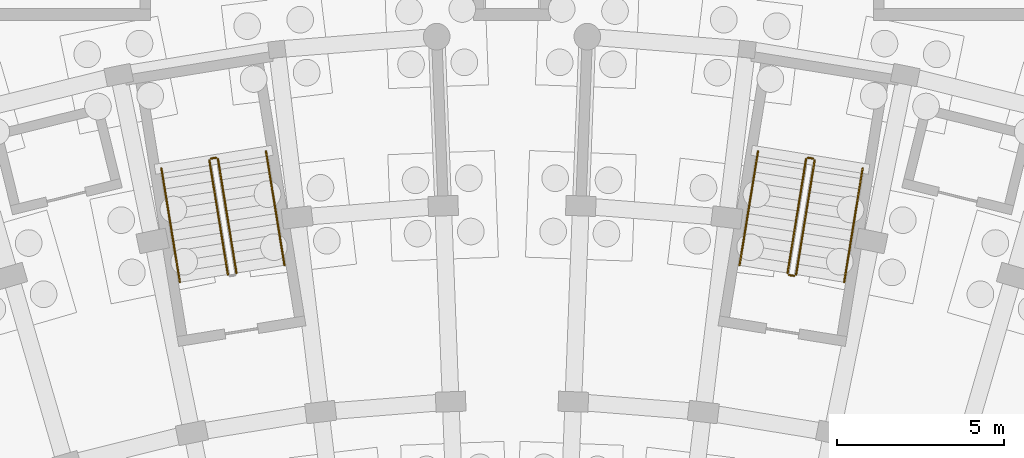
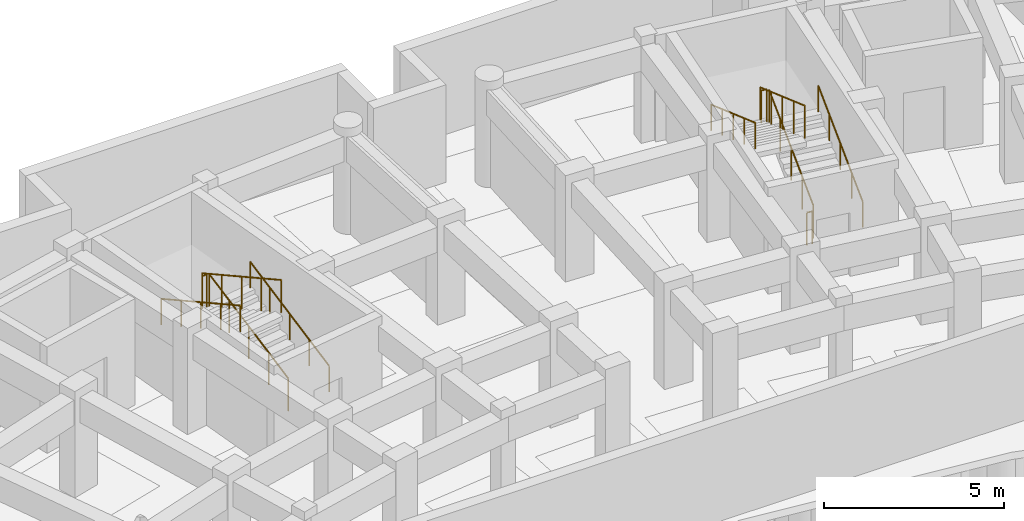
# One storey, part 29 of 32: 11 railings.
"""IFC4 building model written with IfcOpenShell, lengths in metres."""

from ifc_helpers import new_model, si_unit, direction, frame, origin, origin_2d, place, context, subcontext, project, spatial, circle, extrude, material, type_object, element, save


model = new_model("IFC4")

# Units and contexts
model_context = context("Model", 3, precision=1e-05, world=origin(), true_north=direction((0.0, 1.0)))
body_context = subcontext(model_context, "Body", "Model", "MODEL_VIEW")
ifc_project = project(units=[si_unit("LENGTHUNIT", "METRE"), si_unit("AREAUNIT", "SQUARE_METRE"), si_unit("VOLUMEUNIT", "CUBIC_METRE"), si_unit("PLANEANGLEUNIT", "RADIAN"), si_unit("MASSUNIT", "GRAM", prefix="KILO")], contexts=[model_context])

# Site, building, storey
site_placement = place(None, origin())
site = spatial("IfcSite", under=ifc_project, at=site_placement, CompositionType="ELEMENT")
building_placement = place(site_placement, origin())
building = spatial("IfcBuilding", under=site, at=building_placement, Name="Zimvara Arc Housing Community", CompositionType="ELEMENT")
storey_placement = place(building_placement, frame((0.0, 0.0, -3.60009765625)))
storey = spatial("IfcBuildingStorey", under=building, at=storey_placement, Name="B1", CompositionType="ELEMENT", Elevation=-3.60009765625)

# Railings
ifc_material_1 = material(Name="Anodised Aluminium AW-6063", Category="aluminium")
railing_type_1 = type_object("IfcRailingType", Name="RLG-BAL-1120", PredefinedType="BALUSTRADE", material=ifc_material_1)
railing_1_placement = place(storey_placement, frame((36.732421875, 96.243896484375, 0.150146484375)))
element("IfcRailing", 1, at=railing_1_placement, inside=storey, type_object=railing_type_1, Name="B1 ST-A2 stair guard 1", PredefinedType="BALUSTRADE", context=body_context, shape_type="SweptSolid", body=[
    extrude(circle(Radius=0.02392578125, at=origin_2d()), frame((0.0, 0.0, 1.09619140625), z_axis=(-0.144663712303, 0.891202262822, 0.429919686783), x_axis=(-0.987080189956, -0.160227022054, 0.0)), (0.0, 0.0, 1.0), 3.837646484375),
    extrude(circle(Radius=0.02099609375, at=origin_2d()), origin(), (0.0, 0.0, 1.0), 1.072021484375),
    extrude(circle(Radius=0.02099609375, at=origin_2d()), frame((-0.138671875, 0.85498046875, 0.41259765625)), (0.0, 0.0, 1.0), 1.072021484375),
    extrude(circle(Radius=0.02099609375, at=origin_2d()), frame((-0.277587890625, 1.7099609375, 0.824951171875)), (0.0, 0.0, 1.0), 1.072021484375),
    extrude(circle(Radius=0.02099609375, at=origin_2d()), frame((-0.41650390625, 2.565185546875, 1.2373046875)), (0.0, 0.0, 1.0), 1.072021484375),
    extrude(circle(Radius=0.02099609375, at=origin_2d()), frame((-0.55517578125, 3.420166015625, 1.64990234375)), (0.0, 0.0, 1.0), 1.072021484375),
])
railing_2_placement = place(storey_placement, frame((36.119873046875, 99.705322265625, 1.800048828125)))
element("IfcRailing", 2, at=railing_2_placement, inside=storey, type_object=railing_type_1, Name="B1 ST-A2 stair guard 2", PredefinedType="BALUSTRADE", context=body_context, shape_type="SweptSolid", body=[
    extrude(circle(Radius=0.02392578125, at=origin_2d()), frame((0.0, 0.0, 1.09619140625), z_axis=(-0.987085924886, -0.160191687964, 0.0), x_axis=(0.160191687964, -0.987085924886, 0.0)), (0.0, 0.0, 1.0), 0.159912109375),
    extrude(circle(Radius=0.02099609375, at=origin_2d()), origin(), (0.0, 0.0, 1.0), 1.072021484375),
    extrude(circle(Radius=0.02099609375, at=origin_2d()), frame((-0.157958984375, -0.025634765625, 0.0)), (0.0, 0.0, 1.0), 1.072021484375),
])
railing_3_placement = place(storey_placement, frame((35.920654296875, 99.622314453125, 1.9501953125)))
element("IfcRailing", 3, at=railing_3_placement, inside=storey, type_object=railing_type_1, Name="B1 ST-A2 stair guard 3", PredefinedType="BALUSTRADE", context=body_context, shape_type="SweptSolid", body=[
    extrude(circle(Radius=0.02392578125, at=origin_2d()), frame((0.0, 0.0, 1.09619140625), z_axis=(0.144663712303, -0.891202262822, 0.429919686783), x_axis=(0.987080189956, 0.160227022054, 0.0)), (0.0, 0.0, 1.0), 3.837646484375),
    extrude(circle(Radius=0.02099609375, at=origin_2d()), origin(), (0.0, 0.0, 1.0), 1.072021484375),
    extrude(circle(Radius=0.02099609375, at=origin_2d()), frame((0.138671875, -0.85498046875, 0.41259765625)), (0.0, 0.0, 1.0), 1.072021484375),
    extrude(circle(Radius=0.02099609375, at=origin_2d()), frame((0.277587890625, -1.7099609375, 0.824951171875)), (0.0, 0.0, 1.0), 1.072021484375),
    extrude(circle(Radius=0.02099609375, at=origin_2d()), frame((0.41650390625, -2.565185546875, 1.2373046875)), (0.0, 0.0, 1.0), 1.072021484375),
    extrude(circle(Radius=0.02099609375, at=origin_2d()), frame((0.55517578125, -3.420166015625, 1.64990234375)), (0.0, 0.0, 1.0), 1.072021484375),
])
railing_4_placement = place(storey_placement, frame((53.524169921875, 96.2021484375, 0.150146484375)))
element("IfcRailing", 4, at=railing_4_placement, inside=storey, type_object=railing_type_1, Name="B1 ST-B1 stair guard 1", PredefinedType="BALUSTRADE", context=body_context, shape_type="SweptSolid", body=[
    extrude(circle(Radius=0.02392578125, at=origin_2d()), frame((0.0, 0.0, 1.09619140625), z_axis=(0.144663712303, 0.891202262822, 0.429919686783), x_axis=(-0.987080189956, 0.160227022054, 0.0)), (0.0, 0.0, 1.0), 3.837646484375),
    extrude(circle(Radius=0.02099609375, at=origin_2d()), origin(), (0.0, 0.0, 1.0), 1.072021484375),
    extrude(circle(Radius=0.02099609375, at=origin_2d()), frame((0.138671875, 0.85498046875, 0.41259765625)), (0.0, 0.0, 1.0), 1.072021484375),
    extrude(circle(Radius=0.02099609375, at=origin_2d()), frame((0.277587890625, 1.7099609375, 0.824951171875)), (0.0, 0.0, 1.0), 1.072021484375),
    extrude(circle(Radius=0.02099609375, at=origin_2d()), frame((0.41650390625, 2.565185546875, 1.2373046875)), (0.0, 0.0, 1.0), 1.072021484375),
    extrude(circle(Radius=0.02099609375, at=origin_2d()), frame((0.55517578125, 3.420166015625, 1.64990234375)), (0.0, 0.0, 1.0), 1.072021484375),
])
railing_5_placement = place(storey_placement, frame((54.0380859375, 99.6796875, 1.800048828125)))
element("IfcRailing", 5, at=railing_5_placement, inside=storey, type_object=railing_type_1, Name="B1 ST-B1 stair guard 2", PredefinedType="BALUSTRADE", context=body_context, shape_type="SweptSolid", body=[
    extrude(circle(Radius=0.02392578125, at=origin_2d()), frame((0.0, 0.0, 1.09619140625), z_axis=(-0.987085924886, 0.160191687964, 0.0), x_axis=(-0.160191687964, -0.987085924886, 0.0)), (0.0, 0.0, 1.0), 0.159912109375),
    extrude(circle(Radius=0.02099609375, at=origin_2d()), origin(), (0.0, 0.0, 1.0), 1.072021484375),
    extrude(circle(Radius=0.02099609375, at=origin_2d()), frame((-0.157958984375, 0.025634765625, 0.0)), (0.0, 0.0, 1.0), 1.072021484375),
])
railing_6_placement = place(storey_placement, frame((53.82275390625, 99.6640625, 1.9501953125)))
element("IfcRailing", 6, at=railing_6_placement, inside=storey, type_object=railing_type_1, Name="B1 ST-B1 stair guard 3", PredefinedType="BALUSTRADE", context=body_context, shape_type="SweptSolid", body=[
    extrude(circle(Radius=0.02392578125, at=origin_2d()), frame((0.0, 0.0, 1.09619140625), z_axis=(-0.144663712303, -0.891202262822, 0.429919686783), x_axis=(0.987080189956, -0.160227022054, 0.0)), (0.0, 0.0, 1.0), 3.837646484375),
    extrude(circle(Radius=0.02099609375, at=origin_2d()), origin(), (0.0, 0.0, 1.0), 1.072021484375),
    extrude(circle(Radius=0.02099609375, at=origin_2d()), frame((-0.138671875, -0.85498046875, 0.41259765625)), (0.0, 0.0, 1.0), 1.072021484375),
    extrude(circle(Radius=0.02099609375, at=origin_2d()), frame((-0.277587890625, -1.7099609375, 0.824951171875)), (0.0, 0.0, 1.0), 1.072021484375),
    extrude(circle(Radius=0.02099609375, at=origin_2d()), frame((-0.41650390625, -2.565185546875, 1.2373046875)), (0.0, 0.0, 1.0), 1.072021484375),
    extrude(circle(Radius=0.02099609375, at=origin_2d()), frame((-0.55517578125, -3.420166015625, 1.64990234375)), (0.0, 0.0, 1.0), 1.072021484375),
])
railing_7_placement = place(storey_placement, frame((53.466796875, 96.160888671875, 0.0)))
element("IfcRailing", 7, at=railing_7_placement, inside=storey, type_object=railing_type_1, Name="B1 ST-B1 stair guard 4", PredefinedType="BALUSTRADE", context=body_context, shape_type="SweptSolid", body=[
    extrude(circle(Radius=0.02392578125, at=origin_2d()), frame((0.0, 0.0, 1.09619140625), z_axis=(-0.987085924886, 0.160191687964, 0.0), x_axis=(-0.160191687964, -0.987085924886, 0.0)), (0.0, 0.0, 1.0), 0.159912109375),
    extrude(circle(Radius=0.02099609375, at=origin_2d()), origin(), (0.0, 0.0, 1.0), 1.072021484375),
    extrude(circle(Radius=0.02099609375, at=origin_2d()), frame((-0.157958984375, 0.025634765625, 0.0)), (0.0, 0.0, 1.0), 1.072021484375),
])
ifc_material_2 = material(Name="Anodised Aluminium AW-6063", Category="aluminium")
railing_type_2 = type_object("IfcRailingType", Name="RLG-HND-900", PredefinedType="HANDRAIL", material=ifc_material_2)
railing_8_placement = place(storey_placement, frame((38.173583984375, 96.477783203125, 0.150146484375)))
element("IfcRailing", 8, at=railing_8_placement, inside=storey, type_object=railing_type_2, Name="B1 ST-A2 stair handrail 1", PredefinedType="HANDRAIL", context=body_context, shape_type="SweptSolid", body=[
    extrude(circle(Radius=0.02392578125, at=origin_2d()), frame((0.0, 0.0, 0.8759765625), z_axis=(-0.144663712303, 0.891202262822, 0.429919686783), x_axis=(-0.987080189956, -0.160227022054, 0.0)), (0.0, 0.0, 1.0), 3.837646484375),
    extrude(circle(Radius=0.02099609375, at=origin_2d()), origin(), (0.0, 0.0, 1.0), 0.851806640625),
    extrude(circle(Radius=0.02099609375, at=origin_2d()), frame((-0.138671875, 0.85498046875, 0.41259765625)), (0.0, 0.0, 1.0), 0.851806640625),
    extrude(circle(Radius=0.02099609375, at=origin_2d()), frame((-0.277587890625, 1.7099609375, 0.824951171875)), (0.0, 0.0, 1.0), 0.851806640625),
    extrude(circle(Radius=0.02099609375, at=origin_2d()), frame((-0.41650390625, 2.565185546875, 1.2373046875)), (0.0, 0.0, 1.0), 0.851806640625),
    extrude(circle(Radius=0.02099609375, at=origin_2d()), frame((-0.55517578125, 3.420166015625, 1.64990234375)), (0.0, 0.0, 1.0), 0.851806640625),
])
railing_9_placement = place(storey_placement, frame((34.4794921875, 99.388427734375, 1.9501953125)))
element("IfcRailing", 9, at=railing_9_placement, inside=storey, type_object=railing_type_2, Name="B1 ST-A2 stair handrail 2", PredefinedType="HANDRAIL", context=body_context, shape_type="SweptSolid", body=[
    extrude(circle(Radius=0.02392578125, at=origin_2d()), frame((0.0, 0.0, 0.8759765625), z_axis=(0.144663712303, -0.891202262822, 0.429919686783), x_axis=(0.987080189956, 0.160227022054, 0.0)), (0.0, 0.0, 1.0), 3.837646484375),
    extrude(circle(Radius=0.02099609375, at=origin_2d()), origin(), (0.0, 0.0, 1.0), 0.851806640625),
    extrude(circle(Radius=0.02099609375, at=origin_2d()), frame((0.138671875, -0.85498046875, 0.41259765625)), (0.0, 0.0, 1.0), 0.851806640625),
    extrude(circle(Radius=0.02099609375, at=origin_2d()), frame((0.277587890625, -1.7099609375, 0.824951171875)), (0.0, 0.0, 1.0), 0.851806640625),
    extrude(circle(Radius=0.02099609375, at=origin_2d()), frame((0.41650390625, -2.565185546875, 1.2373046875)), (0.0, 0.0, 1.0), 0.851806640625),
    extrude(circle(Radius=0.02099609375, at=origin_2d()), frame((0.55517578125, -3.420166015625, 1.64990234375)), (0.0, 0.0, 1.0), 0.851806640625),
])
railing_10_placement = place(storey_placement, frame((54.96533203125, 95.96826171875, 0.150146484375)))
element("IfcRailing", 10, at=railing_10_placement, inside=storey, type_object=railing_type_2, Name="B1 ST-B1 stair handrail 1", PredefinedType="HANDRAIL", context=body_context, shape_type="SweptSolid", body=[
    extrude(circle(Radius=0.02392578125, at=origin_2d()), frame((0.0, 0.0, 0.8759765625), z_axis=(0.144663712303, 0.891202262822, 0.429919686783), x_axis=(-0.987080189956, 0.160227022054, 0.0)), (0.0, 0.0, 1.0), 3.837646484375),
    extrude(circle(Radius=0.02099609375, at=origin_2d()), origin(), (0.0, 0.0, 1.0), 0.851806640625),
    extrude(circle(Radius=0.02099609375, at=origin_2d()), frame((0.138671875, 0.85498046875, 0.41259765625)), (0.0, 0.0, 1.0), 0.851806640625),
    extrude(circle(Radius=0.02099609375, at=origin_2d()), frame((0.277587890625, 1.7099609375, 0.824951171875)), (0.0, 0.0, 1.0), 0.851806640625),
    extrude(circle(Radius=0.02099609375, at=origin_2d()), frame((0.41650390625, 2.565185546875, 1.2373046875)), (0.0, 0.0, 1.0), 0.851806640625),
    extrude(circle(Radius=0.02099609375, at=origin_2d()), frame((0.55517578125, 3.420166015625, 1.64990234375)), (0.0, 0.0, 1.0), 0.851806640625),
])
railing_11_placement = place(storey_placement, frame((52.381591796875, 99.89794921875, 1.9501953125)))
element("IfcRailing", 11, at=railing_11_placement, inside=storey, type_object=railing_type_2, Name="B1 ST-B1 stair handrail 2", PredefinedType="HANDRAIL", context=body_context, shape_type="SweptSolid", body=[
    extrude(circle(Radius=0.02392578125, at=origin_2d()), frame((0.0, 0.0, 0.8759765625), z_axis=(-0.144663712303, -0.891202262822, 0.429919686783), x_axis=(0.987080189956, -0.160227022054, 0.0)), (0.0, 0.0, 1.0), 3.837646484375),
    extrude(circle(Radius=0.02099609375, at=origin_2d()), origin(), (0.0, 0.0, 1.0), 0.851806640625),
    extrude(circle(Radius=0.02099609375, at=origin_2d()), frame((-0.138671875, -0.85498046875, 0.41259765625)), (0.0, 0.0, 1.0), 0.851806640625),
    extrude(circle(Radius=0.02099609375, at=origin_2d()), frame((-0.277587890625, -1.7099609375, 0.824951171875)), (0.0, 0.0, 1.0), 0.851806640625),
    extrude(circle(Radius=0.02099609375, at=origin_2d()), frame((-0.41650390625, -2.565185546875, 1.2373046875)), (0.0, 0.0, 1.0), 0.851806640625),
    extrude(circle(Radius=0.02099609375, at=origin_2d()), frame((-0.55517578125, -3.420166015625, 1.64990234375)), (0.0, 0.0, 1.0), 0.851806640625),
])

save(model, "model.ifc")
